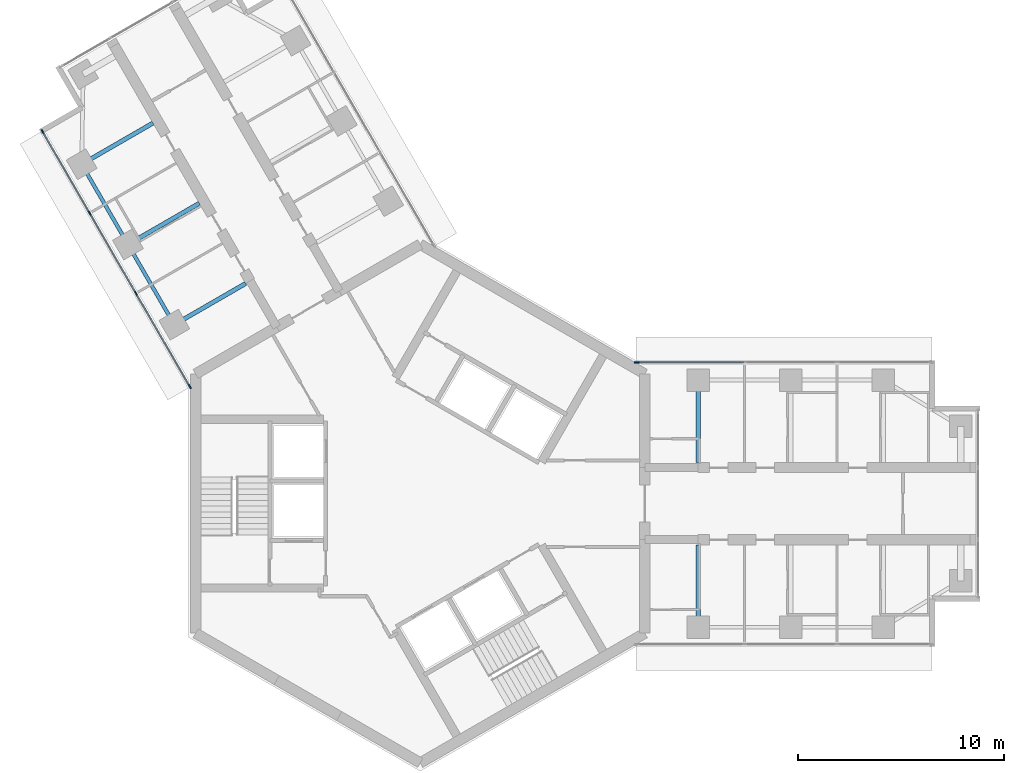
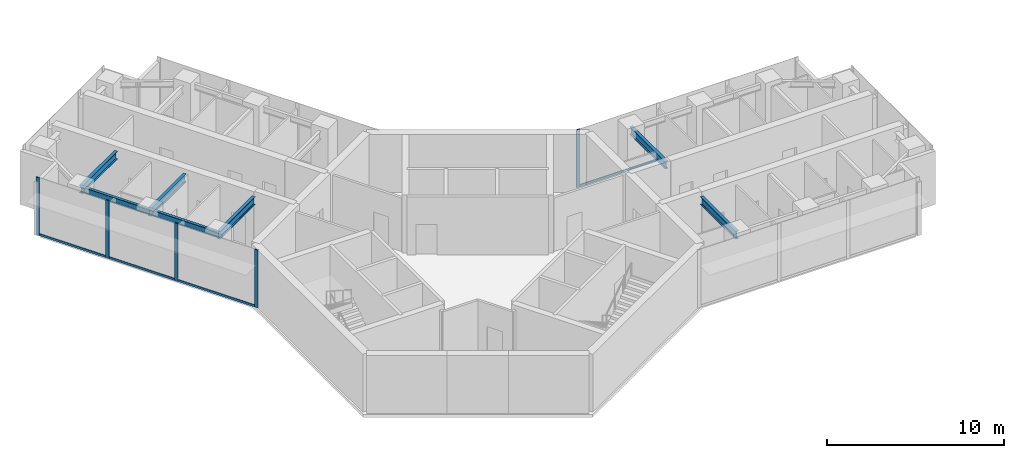
# One storey, part 5 of 17: 9 members, 7 beams, 2 elements without a shape of their own.
"""IFC4 building model written with IfcOpenShell, lengths in metres."""

from ifc_helpers import new_model, si_unit, direction, frame, origin, origin_2d, place, context, subcontext, project, spatial, rectangle, i_section, extrude, material, material_profile, profile_set, type_object, element, aggregate, save


model = new_model("IFC4")

# Units and contexts
model_context = context("Model", 3, precision=1e-05, world=origin(), true_north=direction((0.0, 1.0)))
body_context = subcontext(model_context, "Body", "Model", "MODEL_VIEW")
ifc_project = project(units=[si_unit("LENGTHUNIT", "METRE"), si_unit("AREAUNIT", "SQUARE_METRE"), si_unit("VOLUMEUNIT", "CUBIC_METRE"), si_unit("PLANEANGLEUNIT", "RADIAN"), si_unit("MASSUNIT", "GRAM", prefix="KILO")], contexts=[model_context])

# Site, building, storey
site_placement = place(None, origin())
site = spatial("IfcSite", under=ifc_project, at=site_placement, CompositionType="ELEMENT")
building_placement = place(site_placement, origin())
building = spatial("IfcBuilding", under=site, at=building_placement, Name="Upepo Twin Towers", CompositionType="ELEMENT")
storey_placement = place(building_placement, frame((0.0, 0.0, 234.5)))
storey = spatial("IfcBuildingStorey", under=building, at=storey_placement, Name="L57", CompositionType="ELEMENT", Elevation=234.5)

# Beams
ifc_material_1 = material(Name="Steel S355", Category="steel")
ifc_material_profile_1 = material_profile(ifc_material_1, i_section(OverallWidth=0.177978515625, OverallDepth=0.406494140625, WebThickness=0.0078125, FlangeThickness=0.0126953125, FilletRadius=0.01025390625, at=origin_2d()), Name="UB 406x178x60")
ifc_profile_set_1 = profile_set([ifc_material_profile_1], Name="Steel S355")
beam_type_1 = type_object("IfcBeamType", Name="Beam UB 406x178x60", PredefinedType="BEAM", material=ifc_profile_set_1)
beam_1_placement = place(storey_placement, frame((-11.946044921875, 8.69140625, 3.496826171875), z_axis=(-0.500013631625, 0.866017533419, 0.0), x_axis=(-0.866017533419, -0.500013631625, 0.0)))
element("IfcBeam", 1, at=beam_1_placement, inside=storey, type_object=beam_type_1, Name="T1 edge beam BL 13.5-18.0", PredefinedType="BEAM", context=body_context, shape_type="SweptSolid", body=[
    extrude(i_section(OverallWidth=0.177978515625, OverallDepth=0.406494140625, WebThickness=0.0078125, FlangeThickness=0.0126953125, FilletRadius=0.01025390625, at=origin_2d()), origin(), (0.0, 0.0, 1.0), 4.499755859375),
])
beam_2_placement = place(storey_placement, frame((-14.196044921875, 12.58837890625, 3.496826171875), z_axis=(-0.499990139034, 0.866031096941, 0.0), x_axis=(-0.866031096941, -0.499990139034, 0.0)))
element("IfcBeam", 2, at=beam_2_placement, inside=storey, type_object=beam_type_1, Name="T1 edge beam BL 18.0-22.5", PredefinedType="BEAM", context=body_context, shape_type="SweptSolid", body=[
    extrude(i_section(OverallWidth=0.177978515625, OverallDepth=0.406494140625, WebThickness=0.0078125, FlangeThickness=0.0126953125, FilletRadius=0.01025390625, at=origin_2d()), origin(), (0.0, 0.0, 1.0), 4.5),
])
ifc_material_2 = material(Name="Steel S355", Category="steel")
ifc_material_profile_2 = material_profile(ifc_material_2, i_section(OverallWidth=0.209228515625, OverallDepth=0.533203125, WebThickness=0.010009765625, FlangeThickness=0.015625, FilletRadius=0.0126953125, at=origin_2d()), Name="UB 533x210x92")
ifc_profile_set_2 = profile_set([ifc_material_profile_2], Name="Steel S355")
beam_type_2 = type_object("IfcBeamType", Name="Beam UB 533x210x92", PredefinedType="BEAM", material=ifc_profile_set_2)
for number, where, z_axis, x_axis, name in (
    (3, (13.5, 6.0, 3.433349609375), (0.0, -1.0, 0.0), (1.0, 0.0, 0.0), "T1 girder AL at 13.5"),
    (4, (13.5, -6.0, 3.433349609375), (0.0, 1.0, 0.0), (-1.0, 0.0, 0.0), "T1 girder AR at 13.5"),
    (5, (-11.946044921875, 8.69140625, 3.433349609375), (0.866026010844, 0.49999894854, 0.0), (-0.49999894854, 0.866026010844, 0.0), "T1 girder BL at 13.5"),
    (6, (-14.196044921875, 12.58837890625, 3.433349609375), (0.866026010844, 0.49999894854, 0.0), (-0.49999894854, 0.866026010844, 0.0), "T1 girder BL at 18.0"),
    (7, (-16.446044921875, 16.485595703125, 3.433349609375), (0.866026010844, 0.49999894854, 0.0), (-0.49999894854, 0.866026010844, 0.0), "T1 girder BL at 22.5"),
):
    element("IfcBeam", number, at=place(storey_placement, frame(where, z_axis=z_axis, x_axis=x_axis)), inside=storey, type_object=beam_type_2, Name=name, PredefinedType="BEAM", context=body_context, shape_type="SweptSolid", body=[
        extrude(i_section(OverallWidth=0.209228515625, OverallDepth=0.533203125, WebThickness=0.010009765625, FlangeThickness=0.015625, FilletRadius=0.0126953125, at=origin_2d()), origin(), (0.0, 0.0, 1.0), 4.0),
    ])

# Curtain wall, member
ifc_material_3 = material(Name="Aluminium and fritted glass", Category="aluminium")
curtain_wall_type = type_object("IfcCurtainWallType", Name="Tower curtain wall TW3, fritted glass", PredefinedType="NOTDEFINED", material=ifc_material_3)
curtain_wall_1_placement = place(storey_placement, origin())
curtain_wall_1 = element("IfcCurtainWall", 8, at=curtain_wall_1_placement, inside=storey, type_object=curtain_wall_type, Name="T1 L57 wing A flank L curtain wall", PredefinedType="NOTDEFINED")
ifc_material_4 = material(Name="Aluminium mullion", Category="aluminium")
ifc_material_profile_3 = material_profile(ifc_material_4, rectangle(XDim=0.06494140625, YDim=0.22509765625, at=origin_2d()), Name="MULLION 65x225")
ifc_profile_set_3 = profile_set([ifc_material_profile_3], Name="Aluminium mullion")
member_type_1 = type_object("IfcMemberType", Name="Mullion 65x225 TW3", PredefinedType="MULLION", material=ifc_profile_set_3)
member_1_placement = place(storey_placement, frame((10.51953125, 6.85009765625, 0.0), z_axis=(0.0, 0.0, 1.0), x_axis=(0.0, 1.0, 0.0)))
member_1 = element("IfcMember", 9, at=member_1_placement, type_object=member_type_1, Name="T1 L57 wing A flank L curtain wall mullion 1", PredefinedType="MULLION", context=body_context, shape_type="SweptSolid", body=[
    extrude(rectangle(XDim=0.06494140625, YDim=0.22509765625, at=origin_2d()), origin(), (0.0, 0.0, 1.0), 4.0),
])

# Curtain wall, members
curtain_wall_2_placement = place(storey_placement, origin())
curtain_wall_2 = element("IfcCurtainWall", 10, at=curtain_wall_2_placement, inside=storey, type_object=curtain_wall_type, Name="T1 L57 wing B flank L curtain wall", PredefinedType="NOTDEFINED")
member_2_placement = place(storey_placement, frame((-11.192138671875, 5.685302734375, 0.0), z_axis=(0.0, 0.0, 1.0), x_axis=(-0.866025388469, -0.500000026527, 0.0)))
member_2 = element("IfcMember", 11, at=member_2_placement, type_object=member_type_1, Name="T1 L57 wing B flank L curtain wall mullion 1", PredefinedType="MULLION", context=body_context, shape_type="SweptSolid", body=[
    extrude(rectangle(XDim=0.06494140625, YDim=0.22509765625, at=origin_2d()), origin(), (0.0, 0.0, 1.0), 4.0),
])
member_3_placement = place(storey_placement, frame((-13.807373046875, 10.21484375, 0.0), z_axis=(0.0, 0.0, 1.0), x_axis=(-0.866025388469, -0.500000026527, 0.0)))
member_3 = element("IfcMember", 12, at=member_3_placement, type_object=member_type_1, Name="T1 L57 wing B flank L curtain wall mullion 2", PredefinedType="MULLION", context=body_context, shape_type="SweptSolid", body=[
    extrude(rectangle(XDim=0.06494140625, YDim=0.22509765625, at=origin_2d()), origin(), (0.0, 0.0, 1.0), 4.0),
])
member_4_placement = place(storey_placement, frame((-16.057373046875, 14.112060546875, 0.0), z_axis=(0.0, 0.0, 1.0), x_axis=(-0.866025388469, -0.500000026527, 0.0)))
member_4 = element("IfcMember", 13, at=member_4_placement, type_object=member_type_1, Name="T1 L57 wing B flank L curtain wall mullion 3", PredefinedType="MULLION", context=body_context, shape_type="SweptSolid", body=[
    extrude(rectangle(XDim=0.06494140625, YDim=0.22509765625, at=origin_2d()), origin(), (0.0, 0.0, 1.0), 4.0),
])
member_5_placement = place(storey_placement, frame((-18.341064453125, 18.067626953125, 0.0), z_axis=(0.0, 0.0, 1.0), x_axis=(-0.866025388469, -0.500000026527, 0.0)))
member_5 = element("IfcMember", 14, at=member_5_placement, type_object=member_type_1, Name="T1 L57 wing B flank L curtain wall mullion 4", PredefinedType="MULLION", context=body_context, shape_type="SweptSolid", body=[
    extrude(rectangle(XDim=0.06494140625, YDim=0.22509765625, at=origin_2d()), origin(), (0.0, 0.0, 1.0), 4.0),
])

# Member
ifc_material_5 = material(Name="Aluminium transom", Category="aluminium")
ifc_material_profile_4 = material_profile(ifc_material_5, rectangle(XDim=0.06494140625, YDim=0.14990234375, at=origin_2d()), Name="TRANSOM 65x150")
ifc_profile_set_4 = profile_set([ifc_material_profile_4], Name="Aluminium transom")
member_type_2 = type_object("IfcMemberType", Name="Transom 65x150 TW3", PredefinedType="USERDEFINED", material=ifc_profile_set_4)
member_6_placement = place(storey_placement, frame((10.552001953125, 6.85009765625, 0.074951171875), z_axis=(1.0, 0.0, 0.0), x_axis=(0.0, 1.0, 0.0)))
member_6 = element("IfcMember", 15, at=member_6_placement, type_object=member_type_2, Name="T1 L57 wing A flank L curtain wall transom 1", ObjectType="TRANSOM", PredefinedType="USERDEFINED", context=body_context, shape_type="SweptSolid", body=[
    extrude(rectangle(XDim=0.06494140625, YDim=0.14990234375, at=origin_2d()), origin(), (0.0, 0.0, 1.0), 5.16552734375),
])

aggregate(curtain_wall_1, [member_1, member_6])

member_7_placement = place(storey_placement, frame((-11.208251953125, 5.71337890625, 0.074951171875), z_axis=(-0.500007480159, 0.86602108507, 0.0), x_axis=(-0.86602108507, -0.500007480159, 0.0)))
member_7 = element("IfcMember", 16, at=member_7_placement, type_object=member_type_2, Name="T1 L57 wing B flank L curtain wall transom 1", ObjectType="TRANSOM", PredefinedType="USERDEFINED", context=body_context, shape_type="SweptSolid", body=[
    extrude(rectangle(XDim=0.06494140625, YDim=0.14990234375, at=origin_2d()), origin(), (0.0, 0.0, 1.0), 5.16552734375),
])

member_8_placement = place(storey_placement, frame((-13.823486328125, 10.2431640625, 0.074951171875), z_axis=(-0.500005184116, 0.866022410713, 0.0), x_axis=(-0.866022410713, -0.500005184116, 0.0)))
member_8 = element("IfcMember", 17, at=member_8_placement, type_object=member_type_2, Name="T1 L57 wing B flank L curtain wall transom 2", ObjectType="TRANSOM", PredefinedType="USERDEFINED", context=body_context, shape_type="SweptSolid", body=[
    extrude(rectangle(XDim=0.06494140625, YDim=0.14990234375, at=origin_2d()), origin(), (0.0, 0.0, 1.0), 4.43505859375),
])

member_9_placement = place(storey_placement, frame((-16.073486328125, 14.14013671875, 0.074951171875), z_axis=(-0.499982167615, 0.866035699072, 0.0), x_axis=(-0.866035699072, -0.499982167615, 0.0)))
member_9 = element("IfcMember", 18, at=member_9_placement, type_object=member_type_2, Name="T1 L57 wing B flank L curtain wall transom 3", ObjectType="TRANSOM", PredefinedType="USERDEFINED", context=body_context, shape_type="SweptSolid", body=[
    extrude(rectangle(XDim=0.06494140625, YDim=0.14990234375, at=origin_2d()), origin(), (0.0, 0.0, 1.0), 4.502685546875),
])

aggregate(curtain_wall_2, [member_2, member_3, member_4, member_5, member_7, member_8, member_9])

save(model, "model.ifc")
